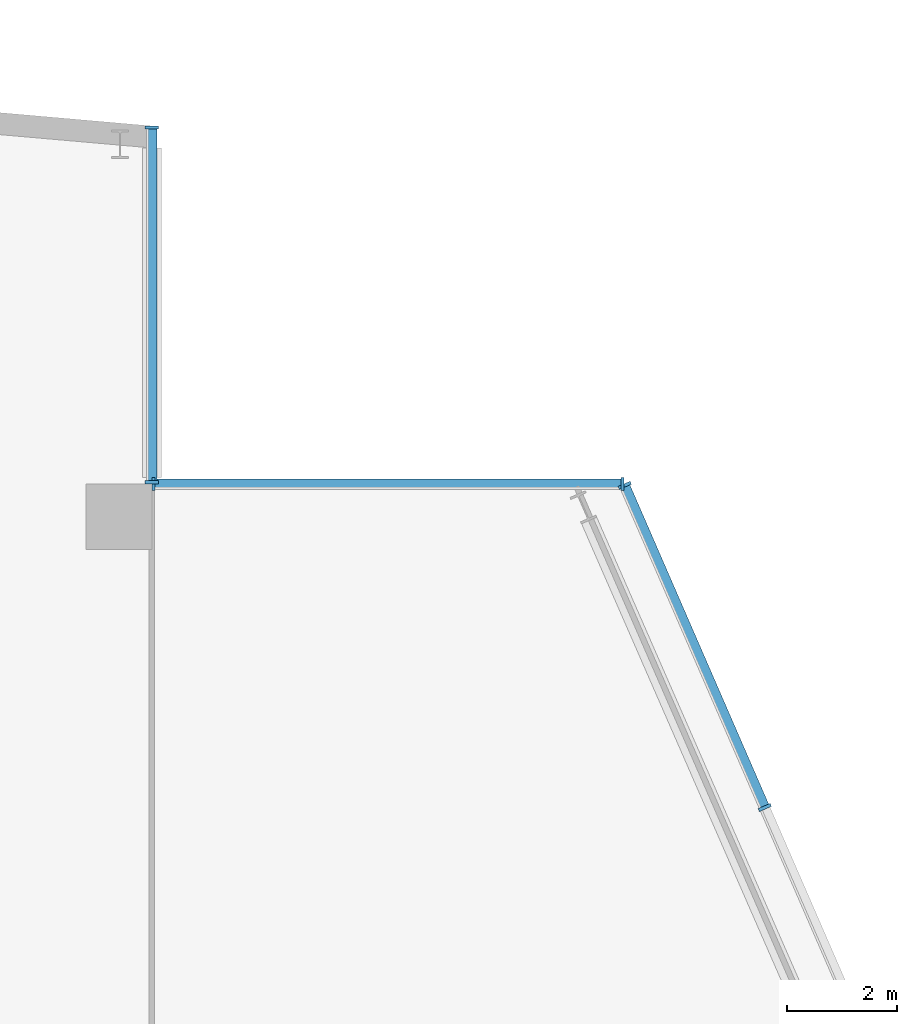
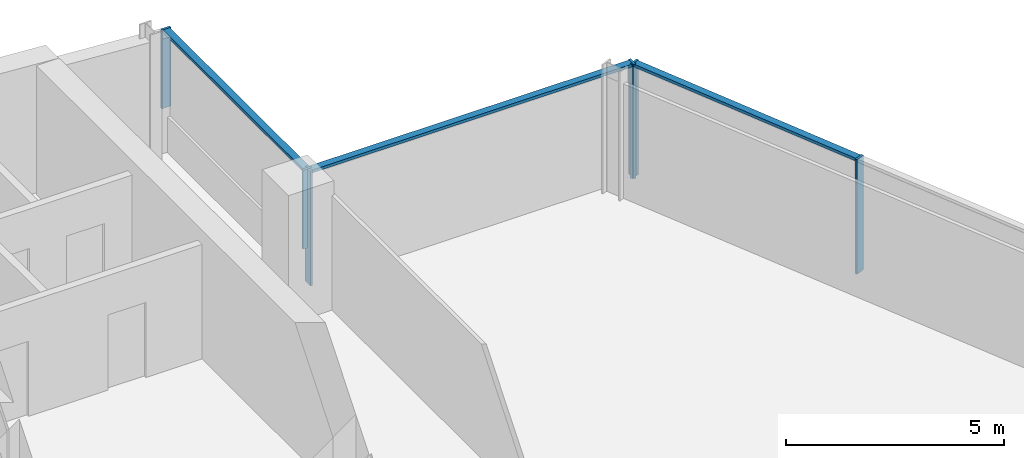
# One storey, part 10 of 19: 9 members, 3 elements without a shape of their own.
"""IFC4 building model written with IfcOpenShell, lengths in metres."""

from ifc_helpers import new_model, si_unit, direction, frame, origin, origin_2d, place, context, subcontext, project, spatial, rectangle, extrude, material, material_profile, profile_set, type_object, element, aggregate, save


model = new_model("IFC4")

# Units and contexts
model_context = context("Model", 3, precision=1e-05, world=origin(), true_north=direction((0.0, 1.0)))
body_context = subcontext(model_context, "Body", "Model", "MODEL_VIEW")
ifc_project = project(units=[si_unit("LENGTHUNIT", "METRE"), si_unit("AREAUNIT", "SQUARE_METRE"), si_unit("VOLUMEUNIT", "CUBIC_METRE"), si_unit("PLANEANGLEUNIT", "RADIAN"), si_unit("MASSUNIT", "GRAM", prefix="KILO")], contexts=[model_context])

# Site, building, storey
site_placement = place(None, origin())
site = spatial("IfcSite", under=ifc_project, at=site_placement, CompositionType="ELEMENT")
building_placement = place(site_placement, origin())
building = spatial("IfcBuilding", under=site, at=building_placement, Name="Wharfspan Tower", CompositionType="ELEMENT")
storey_placement = place(building_placement, frame((0.0, 0.0, 257.5)))
storey = spatial("IfcBuildingStorey", under=building, at=storey_placement, Name="L65", CompositionType="ELEMENT", Elevation=257.5)

# Curtain wall, members
ifc_material = material(Name="Aluminium 6063-T6", Category="aluminium")
curtain_wall_type = type_object("IfcCurtainWallType", Name="CURTAIN WALL PROW AND END", PredefinedType="NOTDEFINED", material=ifc_material)
curtain_wall_1_placement = place(storey_placement, origin())
curtain_wall_1 = element("IfcCurtainWall", 1, at=curtain_wall_1_placement, inside=storey, type_object=curtain_wall_type, Name="Curtain wall E", PredefinedType="NOTDEFINED")
ifc_material_profile_1 = material_profile(ifc_material, rectangle(XDim=0.23999, YDim=0.060059, at=origin_2d()))
ifc_profile_set_1 = profile_set([ifc_material_profile_1], Name="Aluminium 6063-T6")
member_type_1 = type_object("IfcMemberType", Name="MULLION PROW AND END 60x240", PredefinedType="MULLION", material=ifc_profile_set_1)
member_1_placement = place(storey_placement, frame((72.173828, 36.100098, 0.0), z_axis=(0.0, 0.0, 1.0), x_axis=(-0.917072, -0.398727, 0.0)))
member_1 = element("IfcMember", 2, at=member_1_placement, type_object=member_type_1, Name="Curtain wall E mullion 6", PredefinedType="MULLION", context=body_context, shape_type="SweptSolid", body=[
    extrude(rectangle(XDim=0.23999, YDim=0.060059, at=origin_2d()), origin(), (0.0, 0.0, 1.0), 3.199951),
])
member_2_placement = place(storey_placement, frame((69.620605, 41.972412, 0.0), z_axis=(0.0, 0.0, 1.0), x_axis=(-0.917072, -0.398727, 0.0)))
member_2 = element("IfcMember", 3, at=member_2_placement, type_object=member_type_1, Name="Curtain wall E mullion 7", PredefinedType="MULLION", context=body_context, shape_type="SweptSolid", body=[
    extrude(rectangle(XDim=0.23999, YDim=0.060059, at=origin_2d()), origin(), (0.0, 0.0, 1.0), 3.199951),
])

curtain_wall_2_placement = place(storey_placement, origin())
curtain_wall_2 = element("IfcCurtainWall", 4, at=curtain_wall_2_placement, inside=storey, type_object=curtain_wall_type, Name="Curtain wall NRE-H", PredefinedType="NOTDEFINED")
member_3_placement = place(storey_placement, frame((69.578613, 42.0, 0.0), z_axis=(0.0, 0.0, 1.0), x_axis=(0.0, -1.0, 0.0)))
member_3 = element("IfcMember", 5, at=member_3_placement, type_object=member_type_1, Name="Curtain wall NRE-H mullion 1", PredefinedType="MULLION", context=body_context, shape_type="SweptSolid", body=[
    extrude(rectangle(XDim=0.23999, YDim=0.060059, at=origin_2d()), origin(), (0.0, 0.0, 1.0), 3.199951),
])
member_4_placement = place(storey_placement, frame((61.030029, 42.0, 0.0), z_axis=(0.0, 0.0, 1.0), x_axis=(0.0, -1.0, 0.0)))
member_4 = element("IfcMember", 6, at=member_4_placement, type_object=member_type_1, Name="Curtain wall NRE-H mullion 2", PredefinedType="MULLION", context=body_context, shape_type="SweptSolid", body=[
    extrude(rectangle(XDim=0.23999, YDim=0.060059, at=origin_2d()), origin(), (0.0, 0.0, 1.0), 3.199951),
])

curtain_wall_3_placement = place(storey_placement, origin())
curtain_wall_3 = element("IfcCurtainWall", 7, at=curtain_wall_3_placement, inside=storey, type_object=curtain_wall_type, Name="Curtain wall NRE-V", PredefinedType="NOTDEFINED")
member_5_placement = place(storey_placement, frame((61.0, 42.030029, 1.0), z_axis=(0.0, 0.0, 1.0), x_axis=(-1.0, 0.0, 0.0)))
member_5 = element("IfcMember", 8, at=member_5_placement, type_object=member_type_1, Name="Curtain wall NRE-V mullion 1", PredefinedType="MULLION", context=body_context, shape_type="SweptSolid", body=[
    extrude(rectangle(XDim=0.23999, YDim=0.060059, at=origin_2d()), origin(), (0.0, 0.0, 1.0), 2.199951),
])
member_6_placement = place(storey_placement, frame((61.0, 48.494873, 1.0), z_axis=(0.0, 0.0, 1.0), x_axis=(-1.0, 0.0, 0.0)))
member_6 = element("IfcMember", 9, at=member_6_placement, type_object=member_type_1, Name="Curtain wall NRE-V mullion 2", PredefinedType="MULLION", context=body_context, shape_type="SweptSolid", body=[
    extrude(rectangle(XDim=0.23999, YDim=0.060059, at=origin_2d()), origin(), (0.0, 0.0, 1.0), 2.199951),
])

# Member
ifc_material_profile_2 = material_profile(ifc_material, rectangle(XDim=0.179932, YDim=0.080078, at=origin_2d()))
ifc_profile_set_2 = profile_set([ifc_material_profile_2], Name="Aluminium 6063-T6")
member_type_2 = type_object("IfcMemberType", Name="TRANSOM PROW AND END 80x180", PredefinedType="USERDEFINED", material=ifc_profile_set_2)
member_7_placement = place(storey_placement, frame((72.161865, 36.127441, 3.159912), z_axis=(-0.398712, 0.917076, 0.0), x_axis=(-0.917076, -0.398712, 0.0)))
member_7 = element("IfcMember", 10, at=member_7_placement, type_object=member_type_2, Name="Curtain wall E transom 6", ObjectType="TRANSOM", PredefinedType="USERDEFINED", context=body_context, shape_type="SweptSolid", body=[
    extrude(rectangle(XDim=0.179932, YDim=0.080078, at=origin_2d()), origin(), (0.0, 0.0, 1.0), 6.34375),
])

aggregate(curtain_wall_1, [member_1, member_2, member_7])

member_8_placement = place(storey_placement, frame((69.548584, 42.0, 3.159912), z_axis=(-1.0, 0.0, 0.0), x_axis=(0.0, -1.0, 0.0)))
member_8 = element("IfcMember", 11, at=member_8_placement, type_object=member_type_2, Name="Curtain wall NRE-H transom 1", ObjectType="TRANSOM", PredefinedType="USERDEFINED", context=body_context, shape_type="SweptSolid", body=[
    extrude(rectangle(XDim=0.179932, YDim=0.080078, at=origin_2d()), origin(), (0.0, 0.0, 1.0), 8.488525),
])

aggregate(curtain_wall_2, [member_3, member_4, member_8])

member_9_placement = place(storey_placement, frame((61.0, 42.060059, 3.159912), z_axis=(0.0, 1.0, 0.0), x_axis=(-1.0, 0.0, 0.0)))
member_9 = element("IfcMember", 12, at=member_9_placement, type_object=member_type_2, Name="Curtain wall NRE-V transom 1", ObjectType="TRANSOM", PredefinedType="USERDEFINED", context=body_context, shape_type="SweptSolid", body=[
    extrude(rectangle(XDim=0.179932, YDim=0.080078, at=origin_2d()), origin(), (0.0, 0.0, 1.0), 6.404785),
])

aggregate(curtain_wall_3, [member_5, member_6, member_9])

save(model, "model.ifc")
